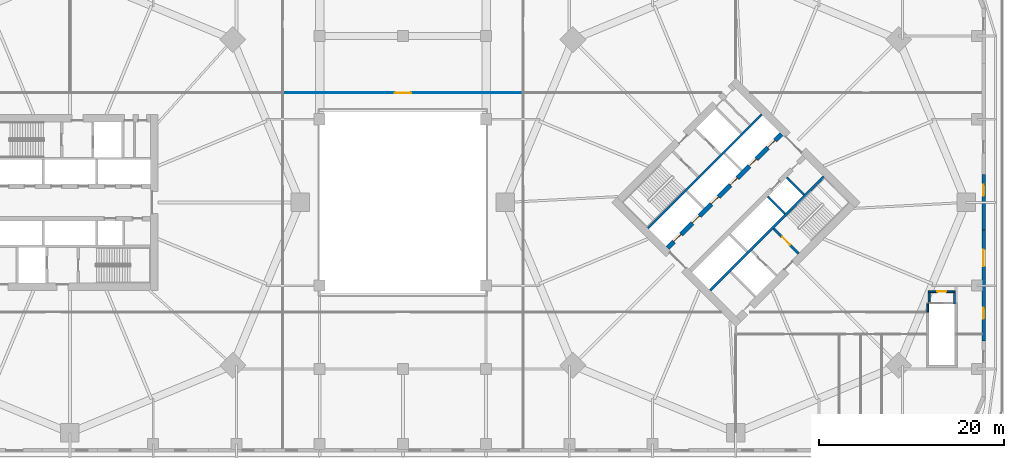
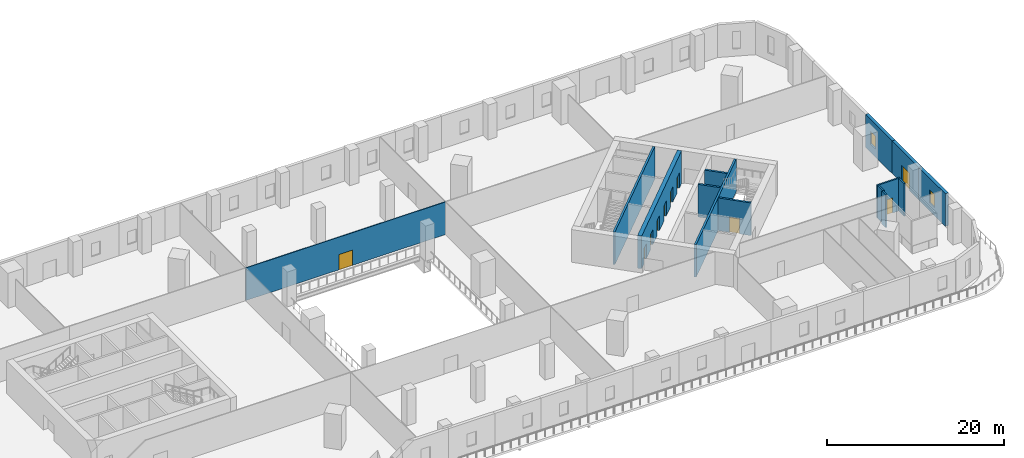
# One storey, part 9 of 16: 14 walls, 10 doors, 2 windows, 12 openings.
"""IFC4 building model written with IfcOpenShell, lengths in metres."""

from ifc_helpers import new_model, si_unit, direction, frame, frame_2d, origin, place, context, subcontext, project, spatial, rectangle, extrude, material, layer, layer_set, type_object, element, fill, save


model = new_model("IFC4")

# Units and contexts
model_context = context("Model", 3, precision=1e-05, world=origin(), true_north=direction((0.0, 1.0)))
body_context = subcontext(model_context, "Body", "Model", "MODEL_VIEW")
ifc_project = project(units=[si_unit("LENGTHUNIT", "METRE"), si_unit("AREAUNIT", "SQUARE_METRE"), si_unit("VOLUMEUNIT", "CUBIC_METRE"), si_unit("PLANEANGLEUNIT", "RADIAN"), si_unit("MASSUNIT", "GRAM", prefix="KILO")], contexts=[model_context])

# Site, building, storey
site_placement = place(None, origin())
site = spatial("IfcSite", under=ifc_project, at=site_placement, CompositionType="ELEMENT")
building_placement = place(site_placement, origin())
building = spatial("IfcBuilding", under=site, at=building_placement, Name="Ogive Gate Towers", CompositionType="ELEMENT")
storey_placement = place(building_placement, frame((0.0, 0.0, 22.800048828125)))
storey = spatial("IfcBuildingStorey", under=building, at=storey_placement, Name="L04", CompositionType="ELEMENT", Elevation=22.800048828125)

# Wall, opening, door
ifc_material_1 = material(Name="Gypsum board partition")
ifc_layer_1 = layer(ifc_material_1, 0.10009765625)
ifc_layer_set_1 = layer_set([ifc_layer_1], Name="Partition wall 100")
wall_type_1 = type_object("IfcWallType", Name="Partition wall 100", PredefinedType="PARTITIONING", material=ifc_layer_set_1)
wall_1_placement = place(storey_placement, frame((-13.0, 11.85009765625, 0.0), z_axis=(0.0, 0.0, 1.0), x_axis=(1.0, 0.0, 0.0)))
wall_1 = element("IfcWall", 1, at=wall_1_placement, inside=storey, type_object=wall_type_1, Name="L04 partition 024", PredefinedType="PARTITIONING", context=body_context, shape_type="SweptSolid", body=[
    extrude(rectangle(XDim=26.0, YDim=0.10009765625, at=frame_2d((13.0, 0.0))), origin(), (0.0, 0.0, 1.0), 4.5),
])
opening_1_placement = place(wall_1_placement, frame((12.10009765625, 0.0, 0.0)))
opening_1 = element("IfcOpeningElement", 2, at=opening_1_placement, cuts=wall_1, Name="Opening PO199", PredefinedType="OPENING", context=body_context, shape_type="SweptSolid", body=[
    extrude(rectangle(XDim=1.800048828125, YDim=2.10009765625, at=frame_2d((0.89990234375, 1.050048828125))), frame((0.0, 0.06005859375, 0.0), z_axis=(0.0, -1.0, 0.0), x_axis=(1.0, 0.0, 0.0)), (0.0, 0.0, 1.0), 0.1201171875),
])
ifc_material_2 = material(Name="Timber door", Category="wood")
door_type_1 = type_object("IfcDoorType", Name="Double door 1800 x 2100", OperationType="NOTDEFINED", PredefinedType="DOOR", material=ifc_material_2)
door_1_placement = place(opening_1_placement, origin())
door_1 = element("IfcDoor", 3, at=door_1_placement, inside=storey, type_object=door_type_1, Name="Door PO199", OperationType="DOUBLE_DOOR_DOUBLE_SWING", OverallHeight=2.10009765625, OverallWidth=1.800048828125, PredefinedType="DOOR", context=body_context, shape_type="SweptSolid", body=[
    extrude(rectangle(XDim=1.800048828125, YDim=2.10009765625, at=frame_2d((0.89990234375, 1.050048828125))), frame((0.0, 0.02490234375, 0.0), z_axis=(0.0, -1.0, 0.0), x_axis=(1.0, 0.0, 0.0)), (0.0, 0.0, 1.0), 0.050048828125),
])
fill(opening_1, door_1)

# Wall, opening, window
ifc_material_3 = material(Name="Precast concrete C40/50", Category="concrete")
ifc_layer_2 = layer(ifc_material_3, 0.39990234375)
ifc_layer_set_2 = layer_set([ifc_layer_2], Name="Podium wall 400")
wall_type_2 = type_object("IfcWallType", Name="Podium wall 400", PredefinedType="SOLIDWALL", material=ifc_layer_set_2)
wall_2_placement = place(storey_placement, frame((62.800048828125, -15.0, 0.0), z_axis=(0.0, 0.0, 1.0), x_axis=(0.0, 1.0, 0.0)))
wall_2 = element("IfcWall", 4, at=wall_2_placement, inside=storey, type_object=wall_type_2, Name="Podium wall", PredefinedType="SOLIDWALL", context=body_context, shape_type="SweptSolid", body=[
    extrude(rectangle(XDim=6.0, YDim=0.39990234375, at=frame_2d((3.0, 0.0))), origin(), (0.0, 0.0, 1.0), 4.5),
])
opening_2_placement = place(wall_2_placement, frame((2.39990234375, 0.0, 1.10009765625)))
opening_2 = element("IfcOpeningElement", 5, at=opening_2_placement, cuts=wall_2, Name="Opening WN3", PredefinedType="OPENING", context=body_context, shape_type="SweptSolid", body=[
    extrude(rectangle(XDim=1.199951171875, YDim=1.800048828125, at=frame_2d((0.60009765625, 0.89990234375))), frame((0.0, 0.2099609375, 0.0), z_axis=(0.0, -1.0, 0.0), x_axis=(1.0, 0.0, 0.0)), (0.0, 0.0, 1.0), 0.419921875),
])
ifc_material_4 = material(Name="Clear glass", Category="glass")
window_type = type_object("IfcWindowType", Name="Podium window 1200 x 1800", PartitioningType="SINGLE_PANEL", PredefinedType="WINDOW", material=ifc_material_4)
window_1_placement = place(opening_2_placement, origin())
window_1 = element("IfcWindow", 6, at=window_1_placement, inside=storey, type_object=window_type, Name="Podium window", OverallHeight=1.800048828125, OverallWidth=1.199951171875, PartitioningType="SINGLE_PANEL", PredefinedType="WINDOW", context=body_context, shape_type="SweptSolid", body=[
    extrude(rectangle(XDim=1.199951171875, YDim=1.800048828125, at=frame_2d((0.60009765625, 0.89990234375))), frame((0.0, 0.030029296875, 0.0), z_axis=(0.0, -1.0, 0.0), x_axis=(1.0, 0.0, 0.0)), (0.0, 0.0, 1.0), 0.06005859375),
])
fill(opening_2, window_1)

# Wall, opening, door
wall_3_placement = place(storey_placement, frame((62.800048828125, -9.0, 0.0), z_axis=(0.0, 0.0, 1.0), x_axis=(0.0, 1.0, 0.0)))
wall_3 = element("IfcWall", 7, at=wall_3_placement, inside=storey, type_object=wall_type_2, Name="Podium wall", PredefinedType="SOLIDWALL", context=body_context, shape_type="SweptSolid", body=[
    extrude(rectangle(XDim=6.0, YDim=0.39990234375, at=frame_2d((3.0, 0.0))), origin(), (0.0, 0.0, 1.0), 4.5),
])
opening_3_placement = place(wall_3_placement, frame((2.10009765625, 0.0, 0.0)))
opening_3 = element("IfcOpeningElement", 8, at=opening_3_placement, cuts=wall_3, Name="Opening ED3-L04-01", PredefinedType="OPENING", context=body_context, shape_type="SweptSolid", body=[
    extrude(rectangle(XDim=1.800048828125, YDim=2.39990234375, at=frame_2d((0.89990234375, 1.199951171875))), frame((0.0, 0.2099609375, 0.0), z_axis=(0.0, -1.0, 0.0), x_axis=(1.0, 0.0, 0.0)), (0.0, 0.0, 1.0), 0.419921875),
])
ifc_material_5 = material(Name="Pale metal aluminium", Category="aluminium")
door_type_2 = type_object("IfcDoorType", Name="Terrace door 1800 x 2400", OperationType="DOUBLE_DOOR_SINGLE_SWING", PredefinedType="DOOR", material=ifc_material_5)
door_2_placement = place(opening_3_placement, origin())
door_2 = element("IfcDoor", 9, at=door_2_placement, inside=storey, type_object=door_type_2, Name="Exterior door", OperationType="SINGLE_SWING_LEFT", OverallHeight=2.39990234375, OverallWidth=1.800048828125, PredefinedType="DOOR", context=body_context, shape_type="SweptSolid", body=[
    extrude(rectangle(XDim=1.800048828125, YDim=2.39990234375, at=frame_2d((0.89990234375, 1.199951171875))), frame((0.0, 0.02490234375, 0.0), z_axis=(0.0, -1.0, 0.0), x_axis=(1.0, 0.0, 0.0)), (0.0, 0.0, 1.0), 0.050048828125),
])
fill(opening_3, door_2)

# Wall, opening, window
wall_4_placement = place(storey_placement, frame((62.800048828125, -3.0, 0.0), z_axis=(0.0, 0.0, 1.0), x_axis=(0.0, 1.0, 0.0)))
wall_4 = element("IfcWall", 10, at=wall_4_placement, inside=storey, type_object=wall_type_2, Name="Podium wall", PredefinedType="SOLIDWALL", context=body_context, shape_type="SweptSolid", body=[
    extrude(rectangle(XDim=6.0, YDim=0.39990234375, at=frame_2d((3.0, 0.0))), origin(), (0.0, 0.0, 1.0), 4.5),
])
opening_4_placement = place(wall_4_placement, frame((3.699951171875, 0.0, 1.10009765625)))
opening_4 = element("IfcOpeningElement", 11, at=opening_4_placement, cuts=wall_4, Name="Opening WN3", PredefinedType="OPENING", context=body_context, shape_type="SweptSolid", body=[
    extrude(rectangle(XDim=1.199951171875, YDim=1.800048828125, at=frame_2d((0.60009765625, 0.89990234375))), frame((0.0, 0.2099609375, 0.0), z_axis=(0.0, -1.0, 0.0), x_axis=(1.0, 0.0, 0.0)), (0.0, 0.0, 1.0), 0.419921875),
])
window_2_placement = place(opening_4_placement, origin())
window_2 = element("IfcWindow", 12, at=window_2_placement, inside=storey, type_object=window_type, Name="Podium window", OverallHeight=1.800048828125, OverallWidth=1.199951171875, PartitioningType="SINGLE_PANEL", PredefinedType="WINDOW", context=body_context, shape_type="SweptSolid", body=[
    extrude(rectangle(XDim=1.199951171875, YDim=1.800048828125, at=frame_2d((0.60009765625, 0.89990234375))), frame((0.0, 0.030029296875, 0.0), z_axis=(0.0, -1.0, 0.0), x_axis=(1.0, 0.0, 0.0)), (0.0, 0.0, 1.0), 0.06005859375),
])
fill(opening_4, window_2)

# Walls
ifc_material_6 = material(Name="Concrete C60/75", Category="concrete")
ifc_layer_3 = layer(ifc_material_6, 0.25)
ifc_layer_set_3 = layer_set([ifc_layer_3], Name="Shaft wall 250 mm")
wall_type_3 = type_object("IfcWallType", Name="Shaft wall 250 mm", PredefinedType="SHEAR", material=ifc_layer_set_3)
for number, where, z_axis, x_axis, name in (
    (13, (33.206787109375, -9.510498046875, 0.0), (0.0, 0.0, 1.0), (0.707106781187, 0.707106781187, 0.0), "T2 L04 Shaft wall 250 mm"),
    (14, (26.489501953125, -2.793212890625, 0.0), (0.0, 0.0, 1.0), (0.707106781187, 0.707106781187, 0.0), "T2 L04 Shaft wall 250 mm"),
):
    element("IfcWall", number, at=place(storey_placement, frame(where, z_axis=z_axis, x_axis=x_axis)), inside=storey, type_object=wall_type_3, Name=name, PredefinedType="SHEAR", context=body_context, shape_type="SweptSolid", body=[
        extrude(rectangle(XDim=17.400146484375, YDim=0.25, at=frame_2d((8.7001953125, 0.0))), origin(), (0.0, 0.0, 1.0), 4.5),
    ])

# Wall, opening, door
wall_5_placement = place(storey_placement, frame((42.7880859375, -5.515380859375, 0.0), z_axis=(0.0, 0.0, 1.0), x_axis=(-0.707106781187, 0.707106781187, 0.0)))
wall_5 = element("IfcWall", 15, at=wall_5_placement, inside=storey, type_object=wall_type_3, Name="T2 L04 Shaft wall 250 mm", PredefinedType="SHEAR", context=body_context, shape_type="SweptSolid", body=[
    extrude(rectangle(XDim=3.824951171875, YDim=0.25, at=frame_2d((1.91259765625, 0.0))), origin(), (0.0, 0.0, 1.0), 4.5),
])
opening_5_placement = place(wall_5_placement, frame((1.300048828125, 0.0, 0.0)))
opening_5 = element("IfcOpeningElement", 16, at=opening_5_placement, cuts=wall_5, Name="Opening KD-T2-L04-14", PredefinedType="OPENING", context=body_context, shape_type="SweptSolid", body=[
    extrude(rectangle(XDim=1.199951171875, YDim=2.10009765625, at=frame_2d((0.60009765625, 1.050048828125))), frame((0.0, 0.135009765625, 0.0), z_axis=(0.0, -1.0, 0.0), x_axis=(1.0, 0.0, 0.0)), (0.0, 0.0, 1.0), 0.27001953125),
])
ifc_material_7 = material(Name="Steel fire door", Category="steel")
door_type_3 = type_object("IfcDoorType", Name="Core door FD60S 1200 x 2100", OperationType="NOTDEFINED", PredefinedType="DOOR", material=ifc_material_7)
door_3_placement = place(opening_5_placement, origin())
door_3 = element("IfcDoor", 17, at=door_3_placement, inside=storey, type_object=door_type_3, Name="T2 L04 Stair door", OperationType="SINGLE_SWING_LEFT", OverallHeight=2.10009765625, OverallWidth=1.199951171875, PredefinedType="DOOR", context=body_context, shape_type="SweptSolid", body=[
    extrude(rectangle(XDim=1.199951171875, YDim=2.10009765625, at=frame_2d((0.60009765625, 1.050048828125))), frame((0.0, 0.02490234375, 0.0), z_axis=(0.0, -1.0, 0.0), x_axis=(1.0, 0.0, 0.0)), (0.0, 0.0, 1.0), 0.050048828125),
])
fill(opening_5, door_3)

# Walls
for number, where, z_axis, x_axis, name in (
    (18, (41.321044921875, -1.2197265625, 0.0), (0.0, 0.0, 1.0), (-0.707106781187, 0.707106781187, 0.0), "T2 L04 Shaft wall 250 mm"),
    (19, (43.37158203125, 0.830810546875, 0.0), (0.0, 0.0, 1.0), (-0.707106781187, 0.707106781187, 0.0), "T2 L04 Shaft wall 250 mm"),
):
    element("IfcWall", number, at=place(storey_placement, frame(where, z_axis=z_axis, x_axis=x_axis)), inside=storey, type_object=wall_type_3, Name=name, PredefinedType="SHEAR", context=body_context, shape_type="SweptSolid", body=[
        extrude(rectangle(XDim=2.625, YDim=0.25, at=frame_2d((1.3125, 0.0))), origin(), (0.0, 0.0, 1.0), 4.5),
    ])

# Wall, openings, doors
ifc_layer_4 = layer(ifc_material_6, 0.5)
ifc_layer_set_4 = layer_set([ifc_layer_4], Name="Spine wall 500 mm")
wall_type_4 = type_object("IfcWallType", Name="Spine wall 500 mm", PredefinedType="SHEAR", material=ifc_layer_set_4)
wall_6_placement = place(storey_placement, frame((28.610595703125, -4.914306640625, 0.0), z_axis=(0.0, 0.0, 1.0), x_axis=(0.707106781187, 0.707106781187, 0.0)))
wall_6 = element("IfcWall", 20, at=wall_6_placement, inside=storey, type_object=wall_type_4, Name="T2 L04 Spine wall 500 mm", PredefinedType="SHEAR", context=body_context, shape_type="SweptSolid", body=[
    extrude(rectangle(XDim=17.400146484375, YDim=0.5, at=frame_2d((8.7001953125, 0.0))), origin(), (0.0, 0.0, 1.0), 4.5),
])
opening_6_placement = place(wall_6_placement, frame((0.96240234375, 0.0, 0.0)))
opening_6 = element("IfcOpeningElement", 21, at=opening_6_placement, cuts=wall_6, Name="Opening LD-T2-L04-03", PredefinedType="OPENING", context=body_context, shape_type="SweptSolid", body=[
    extrude(rectangle(XDim=1.10009765625, YDim=2.10009765625, at=frame_2d((0.550048828125, 1.050048828125))), frame((0.0, 0.260009765625, 0.0), z_axis=(0.0, -1.0, 0.0), x_axis=(1.0, 0.0, 0.0)), (0.0, 0.0, 1.0), 0.52001953125),
])
opening_7_placement = place(wall_6_placement, frame((3.800048828125, 0.0, 0.0)))
opening_7 = element("IfcOpeningElement", 22, at=opening_7_placement, cuts=wall_6, Name="Opening LD-T2-L04-04", PredefinedType="OPENING", context=body_context, shape_type="SweptSolid", body=[
    extrude(rectangle(XDim=1.10009765625, YDim=2.10009765625, at=frame_2d((0.550048828125, 1.050048828125))), frame((0.0, 0.260009765625, 0.0), z_axis=(0.0, -1.0, 0.0), x_axis=(1.0, 0.0, 0.0)), (0.0, 0.0, 1.0), 0.52001953125),
])
opening_8_placement = place(wall_6_placement, frame((6.699951171875, 0.0, 0.0)))
opening_8 = element("IfcOpeningElement", 23, at=opening_8_placement, cuts=wall_6, Name="Opening LD-T2-L04-05", PredefinedType="OPENING", context=body_context, shape_type="SweptSolid", body=[
    extrude(rectangle(XDim=1.10009765625, YDim=2.10009765625, at=frame_2d((0.550048828125, 1.050048828125))), frame((0.0, 0.260009765625, 0.0), z_axis=(0.0, -1.0, 0.0), x_axis=(1.0, 0.0, 0.0)), (0.0, 0.0, 1.0), 0.52001953125),
])
opening_9_placement = place(wall_6_placement, frame((9.60009765625, 0.0, 0.0)))
opening_9 = element("IfcOpeningElement", 24, at=opening_9_placement, cuts=wall_6, Name="Opening LD-T2-L04-06", PredefinedType="OPENING", context=body_context, shape_type="SweptSolid", body=[
    extrude(rectangle(XDim=1.10009765625, YDim=2.10009765625, at=frame_2d((0.550048828125, 1.050048828125))), frame((0.0, 0.260009765625, 0.0), z_axis=(0.0, -1.0, 0.0), x_axis=(1.0, 0.0, 0.0)), (0.0, 0.0, 1.0), 0.52001953125),
])
opening_10_placement = place(wall_6_placement, frame((12.5, 0.0, 0.0)))
opening_10 = element("IfcOpeningElement", 25, at=opening_10_placement, cuts=wall_6, Name="Opening LD-T2-L04-07", PredefinedType="OPENING", context=body_context, shape_type="SweptSolid", body=[
    extrude(rectangle(XDim=1.10009765625, YDim=2.10009765625, at=frame_2d((0.550048828125, 1.050048828125))), frame((0.0, 0.260009765625, 0.0), z_axis=(0.0, -1.0, 0.0), x_axis=(1.0, 0.0, 0.0)), (0.0, 0.0, 1.0), 0.52001953125),
])
opening_11_placement = place(wall_6_placement, frame((15.33740234375, 0.0, 0.0)))
opening_11 = element("IfcOpeningElement", 26, at=opening_11_placement, cuts=wall_6, Name="Opening LD-T2-L04-08", PredefinedType="OPENING", context=body_context, shape_type="SweptSolid", body=[
    extrude(rectangle(XDim=1.10009765625, YDim=2.10009765625, at=frame_2d((0.550048828125, 1.050048828125))), frame((0.0, 0.260009765625, 0.0), z_axis=(0.0, -1.0, 0.0), x_axis=(1.0, 0.0, 0.0)), (0.0, 0.0, 1.0), 0.52001953125),
])
ifc_material_8 = material(Name="Stainless steel landing door", Category="steel")
door_type_4 = type_object("IfcDoorType", Name="Landing door 1100 x 2100", OperationType="SLIDING_TO_LEFT", PredefinedType="DOOR", material=ifc_material_8)
door_4_placement = place(opening_6_placement, origin())
door_4 = element("IfcDoor", 27, at=door_4_placement, inside=storey, type_object=door_type_4, Name="T2 L04 Lift landing door A1", OperationType="SLIDING_TO_LEFT", OverallHeight=2.10009765625, OverallWidth=1.10009765625, PredefinedType="DOOR", context=body_context, shape_type="SweptSolid", body=[
    extrude(rectangle(XDim=1.10009765625, YDim=2.10009765625, at=frame_2d((0.550048828125, 1.050048828125))), frame((0.0, 0.02490234375, 0.0), z_axis=(0.0, -1.0, 0.0), x_axis=(1.0, 0.0, 0.0)), (0.0, 0.0, 1.0), 0.050048828125),
])
fill(opening_6, door_4)
door_5_placement = place(opening_7_placement, origin())
door_5 = element("IfcDoor", 28, at=door_5_placement, inside=storey, type_object=door_type_4, Name="T2 L04 Lift landing door A2", OperationType="SLIDING_TO_LEFT", OverallHeight=2.10009765625, OverallWidth=1.10009765625, PredefinedType="DOOR", context=body_context, shape_type="SweptSolid", body=[
    extrude(rectangle(XDim=1.10009765625, YDim=2.10009765625, at=frame_2d((0.550048828125, 1.050048828125))), frame((0.0, 0.02490234375, 0.0), z_axis=(0.0, -1.0, 0.0), x_axis=(1.0, 0.0, 0.0)), (0.0, 0.0, 1.0), 0.050048828125),
])
fill(opening_7, door_5)
door_6_placement = place(opening_8_placement, origin())
door_6 = element("IfcDoor", 29, at=door_6_placement, inside=storey, type_object=door_type_4, Name="T2 L04 Lift landing door A3", OperationType="SLIDING_TO_LEFT", OverallHeight=2.10009765625, OverallWidth=1.10009765625, PredefinedType="DOOR", context=body_context, shape_type="SweptSolid", body=[
    extrude(rectangle(XDim=1.10009765625, YDim=2.10009765625, at=frame_2d((0.550048828125, 1.050048828125))), frame((0.0, 0.02490234375, 0.0), z_axis=(0.0, -1.0, 0.0), x_axis=(1.0, 0.0, 0.0)), (0.0, 0.0, 1.0), 0.050048828125),
])
fill(opening_8, door_6)
door_7_placement = place(opening_9_placement, origin())
door_7 = element("IfcDoor", 30, at=door_7_placement, inside=storey, type_object=door_type_4, Name="T2 L04 Lift landing door A4", OperationType="SLIDING_TO_LEFT", OverallHeight=2.10009765625, OverallWidth=1.10009765625, PredefinedType="DOOR", context=body_context, shape_type="SweptSolid", body=[
    extrude(rectangle(XDim=1.10009765625, YDim=2.10009765625, at=frame_2d((0.550048828125, 1.050048828125))), frame((0.0, 0.02490234375, 0.0), z_axis=(0.0, -1.0, 0.0), x_axis=(1.0, 0.0, 0.0)), (0.0, 0.0, 1.0), 0.050048828125),
])
fill(opening_9, door_7)
door_8_placement = place(opening_10_placement, origin())
door_8 = element("IfcDoor", 31, at=door_8_placement, inside=storey, type_object=door_type_4, Name="T2 L04 Lift landing door A5", OperationType="SLIDING_TO_LEFT", OverallHeight=2.10009765625, OverallWidth=1.10009765625, PredefinedType="DOOR", context=body_context, shape_type="SweptSolid", body=[
    extrude(rectangle(XDim=1.10009765625, YDim=2.10009765625, at=frame_2d((0.550048828125, 1.050048828125))), frame((0.0, 0.02490234375, 0.0), z_axis=(0.0, -1.0, 0.0), x_axis=(1.0, 0.0, 0.0)), (0.0, 0.0, 1.0), 0.050048828125),
])
fill(opening_10, door_8)
door_9_placement = place(opening_11_placement, origin())
door_9 = element("IfcDoor", 32, at=door_9_placement, inside=storey, type_object=door_type_4, Name="T2 L04 Lift landing door A6", OperationType="SLIDING_TO_LEFT", OverallHeight=2.10009765625, OverallWidth=1.10009765625, PredefinedType="DOOR", context=body_context, shape_type="SweptSolid", body=[
    extrude(rectangle(XDim=1.10009765625, YDim=2.10009765625, at=frame_2d((0.550048828125, 1.050048828125))), frame((0.0, 0.02490234375, 0.0), z_axis=(0.0, -1.0, 0.0), x_axis=(1.0, 0.0, 0.0)), (0.0, 0.0, 1.0), 0.050048828125),
])
fill(opening_11, door_9)

# Wall, opening, door
ifc_material_9 = material(Name="Reinforced concrete C32/40", Category="concrete")
ifc_layer_5 = layer(ifc_material_9, 0.199951171875)
ifc_layer_set_5 = layer_set([ifc_layer_5], Name="Stair shaft wall 200")
wall_type_5 = type_object("IfcWallType", Name="Stair shaft wall 200", PredefinedType="SOLIDWALL", material=ifc_layer_set_5)
wall_7_placement = place(storey_placement, frame((56.800048828125, -9.64990234375, 0.0), z_axis=(0.0, 0.0, 1.0), x_axis=(1.0, 0.0, 0.0)))
wall_7 = element("IfcWall", 33, at=wall_7_placement, inside=storey, type_object=wall_type_5, Name="L04 stair shaft wall 013", PredefinedType="SOLIDWALL", context=body_context, shape_type="SweptSolid", body=[
    extrude(rectangle(XDim=2.949951171875, YDim=0.199951171875, at=frame_2d((1.47509765625, 0.0))), origin(), (0.0, 0.0, 1.0), 4.5),
])
opening_12_placement = place(wall_7_placement, frame((0.97509765625, 0.0, 0.0)))
opening_12 = element("IfcOpeningElement", 34, at=opening_12_placement, cuts=wall_7, Name="Opening PO197", PredefinedType="OPENING", context=body_context, shape_type="SweptSolid", body=[
    extrude(rectangle(XDim=1.0, YDim=2.10009765625, at=frame_2d((0.5, 1.050048828125))), frame((0.0, 0.10986328125, 0.0), z_axis=(0.0, -1.0, 0.0), x_axis=(1.0, 0.0, 0.0)), (0.0, 0.0, 1.0), 0.219970703125),
])
door_type_5 = type_object("IfcDoorType", Name="Interior fire door FD120S 1000 x 2100", OperationType="NOTDEFINED", PredefinedType="DOOR", material=ifc_material_7)
door_10_placement = place(opening_12_placement, origin())
door_10 = element("IfcDoor", 35, at=door_10_placement, inside=storey, type_object=door_type_5, Name="Door PO197", OperationType="SINGLE_SWING_LEFT", OverallHeight=2.10009765625, OverallWidth=1.0, PredefinedType="DOOR", context=body_context, shape_type="SweptSolid", body=[
    extrude(rectangle(XDim=1.0, YDim=2.10009765625, at=frame_2d((0.5, 1.050048828125))), frame((0.0, 0.02490234375, 0.0), z_axis=(0.0, -1.0, 0.0), x_axis=(1.0, 0.0, 0.0)), (0.0, 0.0, 1.0), 0.050048828125),
])
fill(opening_12, door_10)

# Walls
wall_8_placement = place(storey_placement, frame((56.75, -11.85009765625, 0.0), z_axis=(0.0, 0.0, 1.0), x_axis=(0.0, 1.0, 0.0)))
element("IfcWall", 36, at=wall_8_placement, inside=storey, type_object=wall_type_5, Name="L04 stair shaft wall 014", PredefinedType="SOLIDWALL", context=body_context, shape_type="SweptSolid", body=[
    extrude(rectangle(XDim=0.885009765625, YDim=0.199951171875, at=frame_2d((0.4423828125, 0.0))), origin(), (0.0, 0.0, 1.0), 4.5),
])
for number, where, z_axis, x_axis, name in (
    (37, (56.89990234375, -10.965087890625, 0.0), (0.0, 0.0, 1.0), (0.0, 1.0, 0.0), "L04 stair shaft wall 015"),
    (38, (59.64990234375, -10.965087890625, 0.0), (0.0, 0.0, 1.0), (0.0, 1.0, 0.0), "L04 stair shaft wall 016"),
):
    element("IfcWall", number, at=place(storey_placement, frame(where, z_axis=z_axis, x_axis=x_axis)), inside=storey, type_object=wall_type_5, Name=name, PredefinedType="SOLIDWALL", context=body_context, shape_type="SweptSolid", body=[
        extrude(rectangle(XDim=1.215087890625, YDim=0.199951171875, at=frame_2d((0.607421875, 0.0))), origin(), (0.0, 0.0, 1.0), 4.5),
    ])

save(model, "model.ifc")
